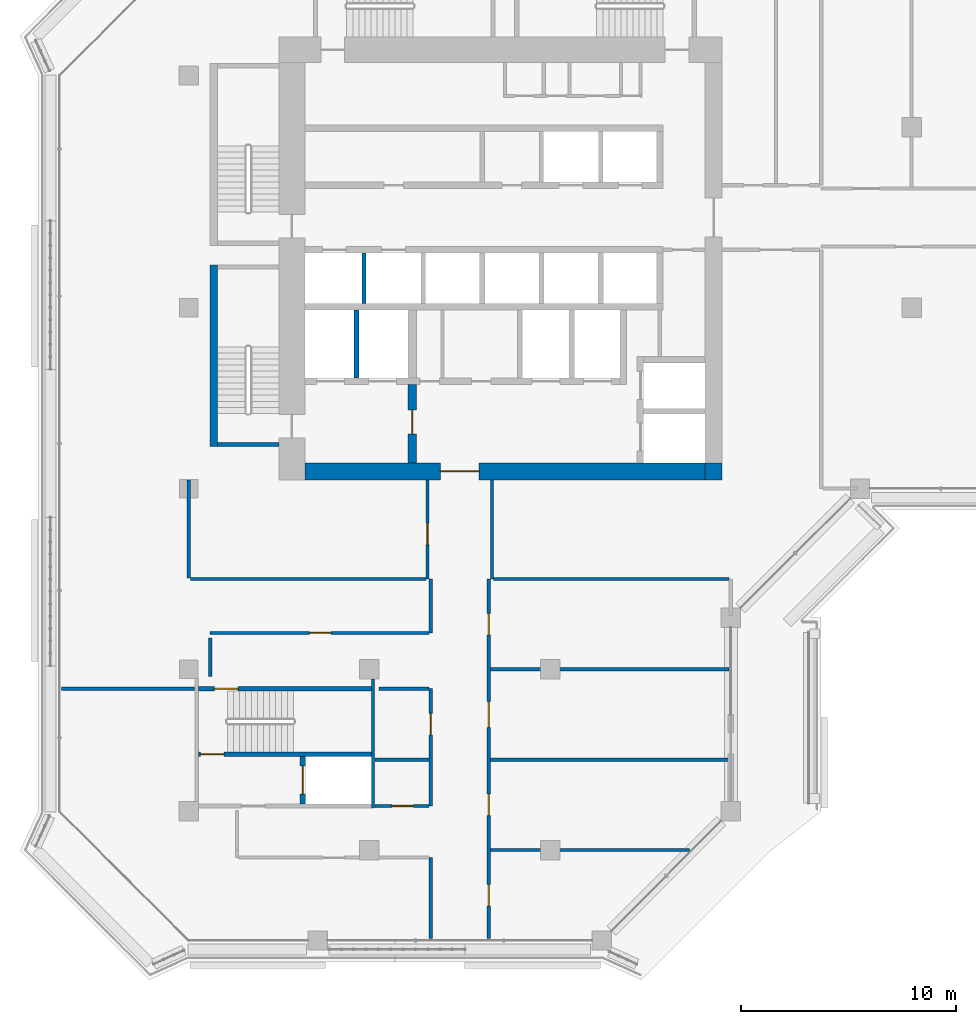
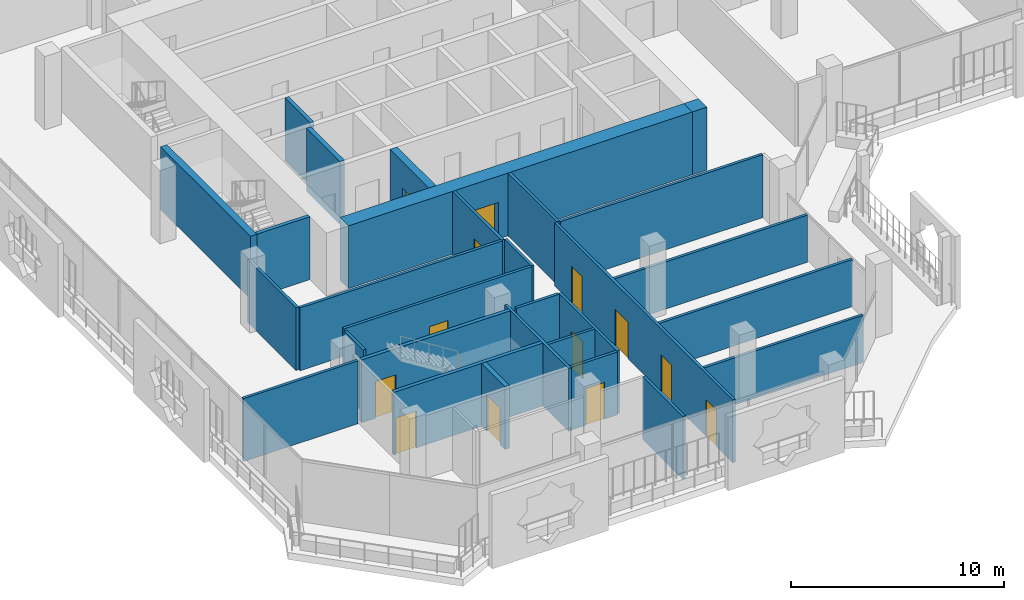
# One storey, part 10 of 22: 29 walls, 13 doors, 13 openings.
"""IFC4 building model written with IfcOpenShell, lengths in metres."""

from ifc_helpers import new_model, si_unit, direction, frame, frame_2d, origin, place, context, subcontext, project, spatial, rectangle, extrude, material, layer, layer_set, type_object, element, fill, save


model = new_model("IFC4")

# Units and contexts
model_context = context("Model", 3, precision=1e-05, world=origin(), true_north=direction((0.0, 1.0)))
body_context = subcontext(model_context, "Body", "Model", "MODEL_VIEW")
ifc_project = project(units=[si_unit("LENGTHUNIT", "METRE"), si_unit("AREAUNIT", "SQUARE_METRE"), si_unit("VOLUMEUNIT", "CUBIC_METRE"), si_unit("PLANEANGLEUNIT", "RADIAN"), si_unit("MASSUNIT", "GRAM", prefix="KILO")], contexts=[model_context])

# Site, building, storey
site_placement = place(None, origin())
site = spatial("IfcSite", under=ifc_project, at=site_placement, CompositionType="ELEMENT")
building_placement = place(site_placement, origin())
building = spatial("IfcBuilding", under=site, at=building_placement, Name="Kawkab Arch Medical Tower", CompositionType="ELEMENT")
storey_placement = place(building_placement, frame((0.0, 0.0, 255.800048828125)))
storey = spatial("IfcBuildingStorey", under=building, at=storey_placement, Name="L59", CompositionType="ELEMENT", Elevation=255.800048828125)

# Wall, opening, door
ifc_material_1 = material(Name="Concrete C50/60", Category="concrete")
ifc_layer_1 = layer(ifc_material_1, 0.800048828125)
ifc_layer_set_1 = layer_set([ifc_layer_1], Name="Concrete C50/60")
wall_type_1 = type_object("IfcWallType", Name="Core ring wall 800 C50/60", PredefinedType="SHEAR", material=ifc_layer_set_1)
wall_1_placement = place(storey_placement, frame((5.39990234375, -24.39990234375, 0.0), z_axis=(0.0, 0.0, 1.0), x_axis=(1.0, 0.0, 0.0)))
wall_1 = element("IfcWall", 1, at=wall_1_placement, inside=storey, type_object=wall_type_1, Name="L59 core wall", PredefinedType="SHEAR", context=body_context, shape_type="SweptSolid", body=[
    extrude(rectangle(XDim=18.60009765625, YDim=0.800048828125, at=frame_2d((9.300048828125, 0.0))), origin(), (0.0, 0.0, 1.0), 3.599853515625),
])
opening_1_placement = place(wall_1_placement, frame((6.300048828125, 0.0, 0.0)))
opening_1 = element("IfcOpeningElement", 2, at=opening_1_placement, cuts=wall_1, Name="Opening PD", PredefinedType="OPENING", context=body_context, shape_type="SweptSolid", body=[
    extrude(rectangle(XDim=1.800048828125, YDim=2.10009765625, at=frame_2d((0.89990234375, 1.050048828125))), frame((0.0, 0.409912109375, 0.0), z_axis=(0.0, -1.0, 0.0), x_axis=(1.0, 0.0, 0.0)), (0.0, 0.0, 1.0), 0.820068359375),
])
ifc_material_2 = material(Name="Hollow metal fire door leaf")
door_type_1 = type_object("IfcDoorType", Name="Core entrance doors 1800", OperationType="DOUBLE_DOOR_SINGLE_SWING", PredefinedType="DOOR", material=ifc_material_2)
door_1_placement = place(opening_1_placement, origin())
door_1 = element("IfcDoor", 3, at=door_1_placement, inside=storey, type_object=door_type_1, Name="L59 South entrance doors", OperationType="DOUBLE_DOOR_SINGLE_SWING", OverallHeight=2.10009765625, OverallWidth=1.800048828125, PredefinedType="DOOR", context=body_context, shape_type="SweptSolid", body=[
    extrude(rectangle(XDim=1.800048828125, YDim=2.10009765625, at=frame_2d((0.89990234375, 1.050048828125))), frame((0.0, 0.02490234375, 0.0), z_axis=(0.0, -1.0, 0.0), x_axis=(1.0, 0.0, 0.0)), (0.0, 0.0, 1.0), 0.050048828125),
])
fill(opening_1, door_1)

# Walls
wall_2_placement = place(storey_placement, frame((24.39990234375, -24.800048828125, 0.0), z_axis=(0.0, 0.0, 1.0), x_axis=(0.0, 1.0, 0.0)))
element("IfcWall", 4, at=wall_2_placement, inside=storey, type_object=wall_type_1, Name="L59 core wall", PredefinedType="SHEAR", context=body_context, shape_type="SweptSolid", body=[
    extrude(rectangle(XDim=0.800048828125, YDim=0.800048828125, at=frame_2d((0.39990234375, 0.0))), origin(), (0.0, 0.0, 1.0), 3.599853515625),
])
ifc_material_3 = material(Name="Concrete C60/75", Category="concrete")
ifc_layer_2 = layer(ifc_material_3, 0.25)
ifc_layer_set_2 = layer_set([ifc_layer_2], Name="Concrete C60/75")
wall_type_2 = type_object("IfcWallType", Name="Core shear wall 250 C60/75", PredefinedType="SHEAR", material=ifc_layer_set_2)
wall_3_placement = place(storey_placement, frame((7.800048828125, -20.050048828125, 0.0), z_axis=(0.0, 0.0, 1.0), x_axis=(0.0, 1.0, 0.0)))
element("IfcWall", 5, at=wall_3_placement, inside=storey, type_object=wall_type_2, Name="L59 core shear wall", PredefinedType="SHEAR", context=body_context, shape_type="SweptSolid", body=[
    extrude(rectangle(XDim=3.150146484375, YDim=0.25, at=frame_2d((1.5751953125, 0.0))), origin(), (0.0, 0.0, 1.0), 3.599853515625),
])

# Wall, opening, door
wall_4_placement = place(storey_placement, frame((5.300048828125, -39.85009765625, 0.0), z_axis=(0.0, 0.0, 1.0), x_axis=(0.0, 1.0, 0.0)))
wall_4 = element("IfcWall", 6, at=wall_4_placement, inside=storey, type_object=wall_type_2, Name="L59 core shear wall", PredefinedType="SHEAR", context=body_context, shape_type="SweptSolid", body=[
    extrude(rectangle(XDim=2.2001953125, YDim=0.25, at=frame_2d((1.10009765625, 0.0))), origin(), (0.0, 0.0, 1.0), 3.599853515625),
])
opening_2_placement = place(wall_4_placement, frame((0.449951171875, 0.0, 0.0)))
opening_2 = element("IfcOpeningElement", 7, at=opening_2_placement, cuts=wall_4, Name="Opening LD2", PredefinedType="OPENING", context=body_context, shape_type="SweptSolid", body=[
    extrude(rectangle(XDim=1.300048828125, YDim=2.10009765625, at=frame_2d((0.64990234375, 1.050048828125))), frame((0.0, 0.135009765625, 0.0), z_axis=(0.0, -1.0, 0.0), x_axis=(1.0, 0.0, 0.0)), (0.0, 0.0, 1.0), 0.27001953125),
])
ifc_material_4 = material(Name="Stainless steel lift door leaf", Category="steel")
door_type_2 = type_object("IfcDoorType", Name="Lift landing door 1300", OperationType="DOUBLE_DOOR_SLIDING", PredefinedType="DOOR", material=ifc_material_4)
door_2_placement = place(opening_2_placement, origin())
door_2 = element("IfcDoor", 8, at=door_2_placement, inside=storey, type_object=door_type_2, Name="L59 Lift landing door SV2", OperationType="DOUBLE_DOOR_SLIDING", OverallHeight=2.10009765625, OverallWidth=1.300048828125, PredefinedType="DOOR", context=body_context, shape_type="SweptSolid", body=[
    extrude(rectangle(XDim=1.300048828125, YDim=2.10009765625, at=frame_2d((0.64990234375, 1.050048828125))), frame((0.0, 0.02490234375, 0.0), z_axis=(0.0, -1.0, 0.0), x_axis=(1.0, 0.0, 0.0)), (0.0, 0.0, 1.0), 0.050048828125),
])
fill(opening_2, door_2)

ifc_material_5 = material(Name="Concrete C60/75", Category="concrete")
ifc_layer_3 = layer(ifc_material_5, 0.39990234375)
ifc_layer_set_3 = layer_set([ifc_layer_3], Name="Concrete C60/75")
wall_type_3 = type_object("IfcWallType", Name="Core shear wall 400 C60/75", PredefinedType="SHEAR", material=ifc_layer_set_3)
wall_5_placement = place(storey_placement, frame((10.39990234375, -24.0, 0.0), z_axis=(0.0, 0.0, 1.0), x_axis=(0.0, 1.0, 0.0)))
wall_5 = element("IfcWall", 9, at=wall_5_placement, inside=storey, type_object=wall_type_3, Name="L59 core shear wall", PredefinedType="SHEAR", context=body_context, shape_type="SweptSolid", body=[
    extrude(rectangle(XDim=3.64990234375, YDim=0.39990234375, at=frame_2d((1.824951171875, 0.0))), origin(), (0.0, 0.0, 1.0), 3.599853515625),
])
opening_3_placement = place(wall_5_placement, frame((1.35009765625, 0.0, 0.0)))
opening_3 = element("IfcOpeningElement", 10, at=opening_3_placement, cuts=wall_5, Name="Opening FD", PredefinedType="OPENING", context=body_context, shape_type="SweptSolid", body=[
    extrude(rectangle(XDim=1.10009765625, YDim=2.10009765625, at=frame_2d((0.550048828125, 1.050048828125))), frame((0.0, 0.2099609375, 0.0), z_axis=(0.0, -1.0, 0.0), x_axis=(1.0, 0.0, 0.0)), (0.0, 0.0, 1.0), 0.419921875),
])
ifc_material_6 = material(Name="Hollow metal fire door leaf")
door_type_3 = type_object("IfcDoorType", Name="Firefighting lobby door 1100", OperationType="SINGLE_SWING_LEFT", PredefinedType="DOOR", material=ifc_material_6)
door_3_placement = place(opening_3_placement, origin())
door_3 = element("IfcDoor", 11, at=door_3_placement, inside=storey, type_object=door_type_3, Name="L59 Firefighting lobby door", OperationType="SINGLE_SWING_LEFT", OverallHeight=2.10009765625, OverallWidth=1.10009765625, PredefinedType="DOOR", context=body_context, shape_type="SweptSolid", body=[
    extrude(rectangle(XDim=1.10009765625, YDim=2.10009765625, at=frame_2d((0.550048828125, 1.050048828125))), frame((0.0, 0.02490234375, 0.0), z_axis=(0.0, -1.0, 0.0), x_axis=(1.0, 0.0, 0.0)), (0.0, 0.0, 1.0), 0.050048828125),
])
fill(opening_3, door_3)

# Walls
ifc_material_7 = material(Name="Dense concrete blockwork", Category="masonry")
ifc_layer_4 = layer(ifc_material_7, 0.199951171875)
ifc_layer_set_4 = layer_set([ifc_layer_4], Name="Dense concrete blockwork")
wall_type_4 = type_object("IfcWallType", Name="Lift shaft partition 200", PredefinedType="PARTITIONING", material=ifc_layer_set_4)
wall_6_placement = place(storey_placement, frame((8.14990234375, -16.60009765625, 0.0), z_axis=(0.0, 0.0, 1.0), x_axis=(0.0, 1.0, 0.0)))
element("IfcWall", 12, at=wall_6_placement, inside=storey, type_object=wall_type_4, Name="L59 lift shaft partition", PredefinedType="PARTITIONING", context=body_context, shape_type="SweptSolid", body=[
    extrude(rectangle(XDim=2.35009765625, YDim=0.199951171875, at=frame_2d((1.175048828125, 0.0))), origin(), (0.0, 0.0, 1.0), 3.599853515625),
])
ifc_material_8 = material(Name="Gypsum board partition on steel studs, mineral wool", Category="steel")
ifc_layer_5 = layer(ifc_material_8, 0.14990234375)
ifc_layer_set_5 = layer_set([ifc_layer_5], Name="Gypsum board partition on steel studs, mineral wool")
wall_type_5 = type_object("IfcWallType", Name="Partition 150", PredefinedType="PARTITIONING", material=ifc_layer_set_5)
wall_7_placement = place(storey_placement, frame((14.02490234375, -42.0, 0.0), z_axis=(0.0, 0.0, 1.0), x_axis=(1.0, 0.0, 0.0)))
element("IfcWall", 13, at=wall_7_placement, inside=storey, type_object=wall_type_5, Name="Partition 150 w009", PredefinedType="PARTITIONING", context=body_context, shape_type="SweptSolid", body=[
    extrude(rectangle(XDim=9.26220703125, YDim=0.14990234375, at=frame_2d((4.631103515625, 0.0))), origin(), (0.0, 0.0, 1.0), 2.699951171875),
])

# Wall, opening, door
wall_8_placement = place(storey_placement, frame((8.64990234375, -39.949951171875, 0.0), z_axis=(0.0, 0.0, 1.0), x_axis=(1.0, 0.0, 0.0)))
wall_8 = element("IfcWall", 14, at=wall_8_placement, inside=storey, type_object=wall_type_5, Name="Partition 150 w010", PredefinedType="PARTITIONING", context=body_context, shape_type="SweptSolid", body=[
    extrude(rectangle(XDim=2.525146484375, YDim=0.14990234375, at=frame_2d((1.2626953125, 0.0))), origin(), (0.0, 0.0, 1.0), 3.599853515625),
])
opening_4_placement = place(wall_8_placement, frame((0.800048828125, 0.0, 0.0)))
opening_4 = element("IfcOpeningElement", 15, at=opening_4_placement, cuts=wall_8, Name="Opening W54-015", PredefinedType="OPENING", context=body_context, shape_type="SweptSolid", body=[
    extrude(rectangle(XDim=1.0, YDim=2.10009765625, at=frame_2d((0.5, 1.050048828125))), frame((0.0, 0.0849609375, 0.0), z_axis=(0.0, -1.0, 0.0), x_axis=(1.0, 0.0, 0.0)), (0.0, 0.0, 1.0), 0.169921875),
])
ifc_material_9 = material(Name="Hollow metal door leaf")
door_type_4 = type_object("IfcDoorType", Name="Single door 1000x2100 FD30S", OperationType="NOTDEFINED", PredefinedType="DOOR", material=ifc_material_9)
door_4_placement = place(opening_4_placement, origin())
door_4 = element("IfcDoor", 16, at=door_4_placement, inside=storey, type_object=door_type_4, Name="Door W54-015", OperationType="SINGLE_SWING_RIGHT", OverallHeight=2.10009765625, OverallWidth=1.0, PredefinedType="DOOR", context=body_context, shape_type="SweptSolid", body=[
    extrude(rectangle(XDim=1.0, YDim=2.10009765625, at=frame_2d((0.5, 1.050048828125))), frame((0.0, 0.02490234375, 0.0), z_axis=(0.0, -1.0, 0.0), x_axis=(1.0, 0.0, 0.0)), (0.0, 0.0, 1.0), 0.050048828125),
])
fill(opening_4, door_4)

# Walls
wall_9_placement = place(storey_placement, frame((8.64990234375, -37.800048828125, 0.0), z_axis=(0.0, 0.0, 1.0), x_axis=(1.0, 0.0, 0.0)))
element("IfcWall", 17, at=wall_9_placement, inside=storey, type_object=wall_type_5, Name="Partition 150 w011", PredefinedType="PARTITIONING", context=body_context, shape_type="SweptSolid", body=[
    extrude(rectangle(XDim=2.525146484375, YDim=0.14990234375, at=frame_2d((1.2626953125, 0.0))), origin(), (0.0, 0.0, 1.0), 3.599853515625),
])
wall_10_placement = place(storey_placement, frame((14.02490234375, -37.800048828125, 0.0), z_axis=(0.0, 0.0, 1.0), x_axis=(1.0, 0.0, 0.0)))
element("IfcWall", 18, at=wall_10_placement, inside=storey, type_object=wall_type_5, Name="Partition 150 w012", PredefinedType="PARTITIONING", context=body_context, shape_type="SweptSolid", body=[
    extrude(rectangle(XDim=11.09521484375, YDim=0.14990234375, at=frame_2d((5.547607421875, 0.0))), origin(), (0.0, 0.0, 1.0), 2.699951171875),
])
wall_11_placement = place(storey_placement, frame((-5.919921875, -34.5, 0.0), z_axis=(0.0, 0.0, 1.0), x_axis=(1.0, 0.0, 0.0)))
element("IfcWall", 19, at=wall_11_placement, inside=storey, type_object=wall_type_5, Name="Partition 150 w013", PredefinedType="PARTITIONING", context=body_context, shape_type="SweptSolid", body=[
    extrude(rectangle(XDim=6.18994140625, YDim=0.14990234375, at=frame_2d((3.094970703125, 0.0))), origin(), (0.0, 0.0, 1.0), 3.599853515625),
])
wall_12_placement = place(storey_placement, frame((8.85009765625, -34.5, 0.0), z_axis=(0.0, 0.0, 1.0), x_axis=(1.0, 0.0, 0.0)))
element("IfcWall", 20, at=wall_12_placement, inside=storey, type_object=wall_type_5, Name="Partition 150 w014", PredefinedType="PARTITIONING", context=body_context, shape_type="SweptSolid", body=[
    extrude(rectangle(XDim=2.324951171875, YDim=0.14990234375, at=frame_2d((1.16259765625, 0.0))), origin(), (0.0, 0.0, 1.0), 3.599853515625),
])
wall_13_placement = place(storey_placement, frame((14.02490234375, -33.60009765625, 0.0), z_axis=(0.0, 0.0, 1.0), x_axis=(1.0, 0.0, 0.0)))
element("IfcWall", 21, at=wall_13_placement, inside=storey, type_object=wall_type_5, Name="Partition 150 w015", PredefinedType="PARTITIONING", context=body_context, shape_type="SweptSolid", body=[
    extrude(rectangle(XDim=11.09521484375, YDim=0.14990234375, at=frame_2d((5.547607421875, 0.0))), origin(), (0.0, 0.0, 1.0), 2.699951171875),
])

# Wall, opening, door
wall_14_placement = place(storey_placement, frame((1.001953125, -31.906982421875, 0.0), z_axis=(0.0, 0.0, 1.0), x_axis=(1.0, 0.0, 0.0)))
wall_14 = element("IfcWall", 22, at=wall_14_placement, inside=storey, type_object=wall_type_5, Name="Partition 150 w016", PredefinedType="PARTITIONING", context=body_context, shape_type="SweptSolid", body=[
    extrude(rectangle(XDim=10.173095703125, YDim=0.14990234375, at=frame_2d((5.08642578125, 0.0))), origin(), (0.0, 0.0, 1.0), 3.599853515625),
])
opening_5_placement = place(wall_14_placement, frame((4.6240234375, 0.0, 0.0)))
opening_5 = element("IfcOpeningElement", 23, at=opening_5_placement, cuts=wall_14, Name="Opening W54-013", PredefinedType="OPENING", context=body_context, shape_type="SweptSolid", body=[
    extrude(rectangle(XDim=1.0, YDim=2.10009765625, at=frame_2d((0.5, 1.050048828125))), frame((0.0, 0.0849609375, 0.0), z_axis=(0.0, -1.0, 0.0), x_axis=(1.0, 0.0, 0.0)), (0.0, 0.0, 1.0), 0.169921875),
])
door_5_placement = place(opening_5_placement, origin())
door_5 = element("IfcDoor", 24, at=door_5_placement, inside=storey, type_object=door_type_4, Name="Door W54-013", OperationType="SINGLE_SWING_RIGHT", OverallHeight=2.10009765625, OverallWidth=1.0, PredefinedType="DOOR", context=body_context, shape_type="SweptSolid", body=[
    extrude(rectangle(XDim=1.0, YDim=2.10009765625, at=frame_2d((0.5, 1.050048828125))), frame((0.0, 0.02490234375, 0.0), z_axis=(0.0, -1.0, 0.0), x_axis=(1.0, 0.0, 0.0)), (0.0, 0.0, 1.0), 0.050048828125),
])
fill(opening_5, door_5)

# Walls
for number, where, z_axis, x_axis, name in (
    (25, (0.074951171875, -29.39990234375, 0.0), (0.0, 0.0, 1.0), (1.0, 0.0, 0.0), "Partition 150 w017"),
    (26, (14.175048828125, -29.39990234375, 0.0), (0.0, 0.0, 1.0), (1.0, 0.0, 0.0), "Partition 150 w018"),
):
    element("IfcWall", number, at=place(storey_placement, frame(where, z_axis=z_axis, x_axis=x_axis)), inside=storey, type_object=wall_type_5, Name=name, PredefinedType="PARTITIONING", context=body_context, shape_type="SweptSolid", body=[
        extrude(rectangle(XDim=10.949951171875, YDim=0.14990234375, at=frame_2d((5.47509765625, 0.0))), origin(), (0.0, 0.0, 1.0), 3.599853515625),
    ])
wall_15_placement = place(storey_placement, frame((0.0, -29.360107421875, 0.0), z_axis=(0.0, 0.0, 1.0), x_axis=(0.0, 1.0, 0.0)))
element("IfcWall", 27, at=wall_15_placement, inside=storey, type_object=wall_type_5, Name="Partition 150 w032", PredefinedType="PARTITIONING", context=body_context, shape_type="SweptSolid", body=[
    extrude(rectangle(XDim=4.56005859375, YDim=0.14990234375, at=frame_2d((2.280029296875, 0.0))), origin(), (0.0, 0.0, 1.0), 3.599853515625),
])
wall_16_placement = place(storey_placement, frame((1.0, -33.927001953125, 0.0), z_axis=(0.0, 0.0, 1.0), x_axis=(0.0, 1.0, 0.0)))
element("IfcWall", 28, at=wall_16_placement, inside=storey, type_object=wall_type_5, Name="Partition 150 w033", PredefinedType="PARTITIONING", context=body_context, shape_type="SweptSolid", body=[
    extrude(rectangle(XDim=1.787109375, YDim=0.14990234375, at=frame_2d((0.8935546875, 0.0))), origin(), (0.0, 0.0, 1.0), 3.599853515625),
])

# Wall, opening, door
wall_17_placement = place(storey_placement, frame((11.10009765625, -29.39990234375, 0.0), z_axis=(0.0, 0.0, 1.0), x_axis=(0.0, 1.0, 0.0)))
wall_17 = element("IfcWall", 29, at=wall_17_placement, inside=storey, type_object=wall_type_5, Name="Partition 150 w036", PredefinedType="PARTITIONING", context=body_context, shape_type="SweptSolid", body=[
    extrude(rectangle(XDim=4.599853515625, YDim=0.14990234375, at=frame_2d((2.2998046875, 0.0))), origin(), (0.0, 0.0, 1.0), 3.599853515625),
])
opening_6_placement = place(wall_17_placement, frame((1.60009765625, 0.0, 0.0)))
opening_6 = element("IfcOpeningElement", 30, at=opening_6_placement, cuts=wall_17, Name="Opening W54-012", PredefinedType="OPENING", context=body_context, shape_type="SweptSolid", body=[
    extrude(rectangle(XDim=1.0, YDim=2.10009765625, at=frame_2d((0.5, 1.050048828125))), frame((0.0, 0.0849609375, 0.0), z_axis=(0.0, -1.0, 0.0), x_axis=(1.0, 0.0, 0.0)), (0.0, 0.0, 1.0), 0.169921875),
])
door_6_placement = place(opening_6_placement, origin())
door_6 = element("IfcDoor", 31, at=door_6_placement, inside=storey, type_object=door_type_4, Name="Door W54-012", OperationType="SINGLE_SWING_LEFT", OverallHeight=2.10009765625, OverallWidth=1.0, PredefinedType="DOOR", context=body_context, shape_type="SweptSolid", body=[
    extrude(rectangle(XDim=1.0, YDim=2.10009765625, at=frame_2d((0.5, 1.050048828125))), frame((0.0, 0.02490234375, 0.0), z_axis=(0.0, -1.0, 0.0), x_axis=(1.0, 0.0, 0.0)), (0.0, 0.0, 1.0), 0.050048828125),
])
fill(opening_6, door_6)

# Wall
wall_18_placement = place(storey_placement, frame((11.25, -46.1201171875, 0.0), z_axis=(0.0, 0.0, 1.0), x_axis=(0.0, 1.0, 0.0)))
element("IfcWall", 32, at=wall_18_placement, inside=storey, type_object=wall_type_5, Name="Partition 150 w037", PredefinedType="PARTITIONING", context=body_context, shape_type="SweptSolid", body=[
    extrude(rectangle(XDim=3.77001953125, YDim=0.14990234375, at=frame_2d((1.885009765625, 0.0))), origin(), (0.0, 0.0, 1.0), 3.599853515625),
])

# Wall, opening, door
wall_19_placement = place(storey_placement, frame((11.25, -39.949951171875, 0.0), z_axis=(0.0, 0.0, 1.0), x_axis=(0.0, 1.0, 0.0)))
wall_19 = element("IfcWall", 33, at=wall_19_placement, inside=storey, type_object=wall_type_5, Name="Partition 150 w038", PredefinedType="PARTITIONING", context=body_context, shape_type="SweptSolid", body=[
    extrude(rectangle(XDim=5.449951171875, YDim=0.14990234375, at=frame_2d((2.72509765625, 0.0))), origin(), (0.0, 0.0, 1.0), 3.599853515625),
])
opening_7_placement = place(wall_19_placement, frame((3.300048828125, 0.0, 0.0)))
opening_7 = element("IfcOpeningElement", 34, at=opening_7_placement, cuts=wall_19, Name="Opening W54-014", PredefinedType="OPENING", context=body_context, shape_type="SweptSolid", body=[
    extrude(rectangle(XDim=1.0, YDim=2.10009765625, at=frame_2d((0.5, 1.050048828125))), frame((0.0, 0.0849609375, 0.0), z_axis=(0.0, -1.0, 0.0), x_axis=(1.0, 0.0, 0.0)), (0.0, 0.0, 1.0), 0.169921875),
])
door_7_placement = place(opening_7_placement, origin())
door_7 = element("IfcDoor", 35, at=door_7_placement, inside=storey, type_object=door_type_4, Name="Door W54-014", OperationType="SINGLE_SWING_RIGHT", OverallHeight=2.10009765625, OverallWidth=1.0, PredefinedType="DOOR", context=body_context, shape_type="SweptSolid", body=[
    extrude(rectangle(XDim=1.0, YDim=2.10009765625, at=frame_2d((0.5, 1.050048828125))), frame((0.0, 0.02490234375, 0.0), z_axis=(0.0, -1.0, 0.0), x_axis=(1.0, 0.0, 0.0)), (0.0, 0.0, 1.0), 0.050048828125),
])
fill(opening_7, door_7)

# Wall
wall_20_placement = place(storey_placement, frame((11.25, -31.906982421875, 0.0), z_axis=(0.0, 0.0, 1.0), x_axis=(0.0, 1.0, 0.0)))
element("IfcWall", 36, at=wall_20_placement, inside=storey, type_object=wall_type_5, Name="Partition 150 w039", PredefinedType="PARTITIONING", context=body_context, shape_type="SweptSolid", body=[
    extrude(rectangle(XDim=2.507080078125, YDim=0.14990234375, at=frame_2d((1.25341796875, 0.0))), origin(), (0.0, 0.0, 1.0), 3.599853515625),
])

# Wall, openings, doors
wall_21_placement = place(storey_placement, frame((13.949951171875, -46.1201171875, 0.0), z_axis=(0.0, 0.0, 1.0), x_axis=(0.0, 1.0, 0.0)))
wall_21 = element("IfcWall", 37, at=wall_21_placement, inside=storey, type_object=wall_type_5, Name="Partition 150 w040", PredefinedType="PARTITIONING", context=body_context, shape_type="SweptSolid", body=[
    extrude(rectangle(XDim=16.72021484375, YDim=0.14990234375, at=frame_2d((8.360107421875, 0.0))), origin(), (0.0, 0.0, 1.0), 3.599853515625),
])
opening_8_placement = place(wall_21_placement, frame((14.1201171875, 0.0, 0.0)))
opening_8 = element("IfcOpeningElement", 38, at=opening_8_placement, cuts=wall_21, Name="Opening W54-017", PredefinedType="OPENING", context=body_context, shape_type="SweptSolid", body=[
    extrude(rectangle(XDim=1.0, YDim=2.10009765625, at=frame_2d((0.5, 1.050048828125))), frame((0.0, 0.0849609375, 0.0), z_axis=(0.0, -1.0, 0.0), x_axis=(1.0, 0.0, 0.0)), (0.0, 0.0, 1.0), 0.169921875),
])
opening_9_placement = place(wall_21_placement, frame((9.820068359375, 0.0, 0.0)))
opening_9 = element("IfcOpeningElement", 39, at=opening_9_placement, cuts=wall_21, Name="Opening W54-027", PredefinedType="OPENING", context=body_context, shape_type="SweptSolid", body=[
    extrude(rectangle(XDim=1.199951171875, YDim=2.10009765625, at=frame_2d((0.60009765625, 1.050048828125))), frame((0.0, 0.0849609375, 0.0), z_axis=(0.0, -1.0, 0.0), x_axis=(1.0, 0.0, 0.0)), (0.0, 0.0, 1.0), 0.169921875),
])
opening_10_placement = place(wall_21_placement, frame((5.719970703125, 0.0, 0.0)))
opening_10 = element("IfcOpeningElement", 40, at=opening_10_placement, cuts=wall_21, Name="Opening W54-018", PredefinedType="OPENING", context=body_context, shape_type="SweptSolid", body=[
    extrude(rectangle(XDim=1.0, YDim=2.10009765625, at=frame_2d((0.5, 1.050048828125))), frame((0.0, 0.0849609375, 0.0), z_axis=(0.0, -1.0, 0.0), x_axis=(1.0, 0.0, 0.0)), (0.0, 0.0, 1.0), 0.169921875),
])
opening_11_placement = place(wall_21_placement, frame((1.52001953125, 0.0, 0.0)))
opening_11 = element("IfcOpeningElement", 41, at=opening_11_placement, cuts=wall_21, Name="Opening W54-019", PredefinedType="OPENING", context=body_context, shape_type="SweptSolid", body=[
    extrude(rectangle(XDim=1.0, YDim=2.10009765625, at=frame_2d((0.5, 1.050048828125))), frame((0.0, 0.0849609375, 0.0), z_axis=(0.0, -1.0, 0.0), x_axis=(1.0, 0.0, 0.0)), (0.0, 0.0, 1.0), 0.169921875),
])
door_8_placement = place(opening_8_placement, origin())
door_8 = element("IfcDoor", 42, at=door_8_placement, inside=storey, type_object=door_type_4, Name="Door W54-017", OperationType="SINGLE_SWING_LEFT", OverallHeight=2.10009765625, OverallWidth=1.0, PredefinedType="DOOR", context=body_context, shape_type="SweptSolid", body=[
    extrude(rectangle(XDim=1.0, YDim=2.10009765625, at=frame_2d((0.5, 1.050048828125))), frame((0.0, 0.02490234375, 0.0), z_axis=(0.0, -1.0, 0.0), x_axis=(1.0, 0.0, 0.0)), (0.0, 0.0, 1.0), 0.050048828125),
])
fill(opening_8, door_8)
door_9_placement = place(opening_10_placement, origin())
door_9 = element("IfcDoor", 43, at=door_9_placement, inside=storey, type_object=door_type_4, Name="Door W54-018", OperationType="SINGLE_SWING_RIGHT", OverallHeight=2.10009765625, OverallWidth=1.0, PredefinedType="DOOR", context=body_context, shape_type="SweptSolid", body=[
    extrude(rectangle(XDim=1.0, YDim=2.10009765625, at=frame_2d((0.5, 1.050048828125))), frame((0.0, 0.02490234375, 0.0), z_axis=(0.0, -1.0, 0.0), x_axis=(1.0, 0.0, 0.0)), (0.0, 0.0, 1.0), 0.050048828125),
])
fill(opening_10, door_9)
door_10_placement = place(opening_11_placement, origin())
door_10 = element("IfcDoor", 44, at=door_10_placement, inside=storey, type_object=door_type_4, Name="Door W54-019", OperationType="SINGLE_SWING_RIGHT", OverallHeight=2.10009765625, OverallWidth=1.0, PredefinedType="DOOR", context=body_context, shape_type="SweptSolid", body=[
    extrude(rectangle(XDim=1.0, YDim=2.10009765625, at=frame_2d((0.5, 1.050048828125))), frame((0.0, 0.02490234375, 0.0), z_axis=(0.0, -1.0, 0.0), x_axis=(1.0, 0.0, 0.0)), (0.0, 0.0, 1.0), 0.050048828125),
])
fill(opening_11, door_10)
ifc_material_10 = material(Name="Hollow metal door leaf")
door_type_5 = type_object("IfcDoorType", Name="Single door 1200x2100 FD30S", OperationType="NOTDEFINED", PredefinedType="DOOR", material=ifc_material_10)
door_11_placement = place(opening_9_placement, origin())
door_11 = element("IfcDoor", 45, at=door_11_placement, inside=storey, type_object=door_type_5, Name="Door W54-027", OperationType="SINGLE_SWING_LEFT", OverallHeight=2.10009765625, OverallWidth=1.199951171875, PredefinedType="DOOR", context=body_context, shape_type="SweptSolid", body=[
    extrude(rectangle(XDim=1.199951171875, YDim=2.10009765625, at=frame_2d((0.60009765625, 1.050048828125))), frame((0.0, 0.02490234375, 0.0), z_axis=(0.0, -1.0, 0.0), x_axis=(1.0, 0.0, 0.0)), (0.0, 0.0, 1.0), 0.050048828125),
])
fill(opening_9, door_11)

# Walls
wall_22_placement = place(storey_placement, frame((14.10009765625, -29.39990234375, 0.0), z_axis=(0.0, 0.0, 1.0), x_axis=(0.0, 1.0, 0.0)))
element("IfcWall", 46, at=wall_22_placement, inside=storey, type_object=wall_type_5, Name="Partition 150 w041", PredefinedType="PARTITIONING", context=body_context, shape_type="SweptSolid", body=[
    extrude(rectangle(XDim=4.599853515625, YDim=0.14990234375, at=frame_2d((2.2998046875, 0.0))), origin(), (0.0, 0.0, 1.0), 3.599853515625),
])
ifc_material_11 = material(Name="Concrete C50/60", Category="concrete")
ifc_layer_6 = layer(ifc_material_11, 0.14990234375)
ifc_layer_set_6 = layer_set([ifc_layer_6], Name="Concrete C50/60")
wall_type_6 = type_object("IfcWallType", Name="Stair enclosure wall 150 C50/60", PredefinedType="SHEAR", material=ifc_layer_set_6)
wall_23_placement = place(storey_placement, frame((8.574951171875, -40.050048828125, 0.0), z_axis=(0.0, 0.0, 1.0), x_axis=(0.0, 1.0, 0.0)))
element("IfcWall", 47, at=wall_23_placement, inside=storey, type_object=wall_type_6, Name="L59 stair enclosure wall", PredefinedType="SHEAR", context=body_context, shape_type="SweptSolid", body=[
    extrude(rectangle(XDim=6.0, YDim=0.14990234375, at=frame_2d((3.0, 0.0))), origin(), (0.0, 0.0, 1.0), 3.599853515625),
])
ifc_material_12 = material(Name="Concrete C50/60", Category="concrete")
ifc_layer_7 = layer(ifc_material_12, 0.199951171875)
ifc_layer_set_7 = layer_set([ifc_layer_7], Name="Concrete C50/60")
wall_type_7 = type_object("IfcWallType", Name="Stair enclosure wall 200 C50/60", PredefinedType="SHEAR", material=ifc_layer_set_7)
wall_24_placement = place(storey_placement, frame((1.35009765625, -23.14990234375, 0.0), z_axis=(0.0, 0.0, 1.0), x_axis=(1.0, 0.0, 0.0)))
element("IfcWall", 48, at=wall_24_placement, inside=storey, type_object=wall_type_7, Name="L59 stair enclosure wall", PredefinedType="SHEAR", context=body_context, shape_type="SweptSolid", body=[
    extrude(rectangle(XDim=2.849853515625, YDim=0.199951171875, at=frame_2d((1.4248046875, 0.0))), origin(), (0.0, 0.0, 1.0), 3.599853515625),
])

# Wall, opening, door
wall_25_placement = place(storey_placement, frame((0.449951171875, -34.5, 0.0), z_axis=(0.0, 0.0, 1.0), x_axis=(1.0, 0.0, 0.0)))
wall_25 = element("IfcWall", 49, at=wall_25_placement, inside=storey, type_object=wall_type_7, Name="L59 stair enclosure wall", PredefinedType="SHEAR", context=body_context, shape_type="SweptSolid", body=[
    extrude(rectangle(XDim=8.050048828125, YDim=0.199951171875, at=frame_2d((4.02490234375, 0.0))), origin(), (0.0, 0.0, 1.0), 3.599853515625),
])
opening_12_placement = place(wall_25_placement, frame((0.75, 0.0, 0.0)))
opening_12 = element("IfcOpeningElement", 50, at=opening_12_placement, cuts=wall_25, Name="Opening SD", PredefinedType="OPENING", context=body_context, shape_type="SweptSolid", body=[
    extrude(rectangle(XDim=1.10009765625, YDim=2.10009765625, at=frame_2d((0.550048828125, 1.050048828125))), frame((0.0, 0.10986328125, 0.0), z_axis=(0.0, -1.0, 0.0), x_axis=(1.0, 0.0, 0.0)), (0.0, 0.0, 1.0), 0.219970703125),
])
ifc_material_13 = material(Name="Hollow metal fire door leaf")
door_type_6 = type_object("IfcDoorType", Name="Exit stair door 1100", OperationType="SINGLE_SWING_LEFT", PredefinedType="DOOR", material=ifc_material_13)
door_12_placement = place(opening_12_placement, origin())
door_12 = element("IfcDoor", 51, at=door_12_placement, inside=storey, type_object=door_type_6, Name="L59 Exit stair ST6 door", OperationType="SINGLE_SWING_LEFT", OverallHeight=2.10009765625, OverallWidth=1.10009765625, PredefinedType="DOOR", context=body_context, shape_type="SweptSolid", body=[
    extrude(rectangle(XDim=1.10009765625, YDim=2.10009765625, at=frame_2d((0.550048828125, 1.050048828125))), frame((0.0, 0.02490234375, 0.0), z_axis=(0.0, -1.0, 0.0), x_axis=(1.0, 0.0, 0.0)), (0.0, 0.0, 1.0), 0.050048828125),
])
fill(opening_12, door_12)

wall_26_placement = place(storey_placement, frame((0.449951171875, -37.550048828125, 0.0), z_axis=(0.0, 0.0, 1.0), x_axis=(1.0, 0.0, 0.0)))
wall_26 = element("IfcWall", 52, at=wall_26_placement, inside=storey, type_object=wall_type_7, Name="L59 stair enclosure wall", PredefinedType="SHEAR", context=body_context, shape_type="SweptSolid", body=[
    extrude(rectangle(XDim=8.050048828125, YDim=0.199951171875, at=frame_2d((4.02490234375, 0.0))), origin(), (0.0, 0.0, 1.0), 3.599853515625),
])
opening_13_placement = place(wall_26_placement, frame((0.10009765625, 0.0, 0.0)))
opening_13 = element("IfcOpeningElement", 53, at=opening_13_placement, cuts=wall_26, Name="Opening SD", PredefinedType="OPENING", context=body_context, shape_type="SweptSolid", body=[
    extrude(rectangle(XDim=1.10009765625, YDim=2.10009765625, at=frame_2d((0.550048828125, 1.050048828125))), frame((0.0, 0.10986328125, 0.0), z_axis=(0.0, -1.0, 0.0), x_axis=(1.0, 0.0, 0.0)), (0.0, 0.0, 1.0), 0.219970703125),
])
door_13_placement = place(opening_13_placement, frame((1.10009765625, 0.0, 0.0), z_axis=(0.0, 0.0, 1.0), x_axis=(-1.0, 0.0, 0.0)))
door_13 = element("IfcDoor", 54, at=door_13_placement, inside=storey, type_object=door_type_6, Name="L59 Exit stair ST6 lobby door", OperationType="SINGLE_SWING_LEFT", OverallHeight=2.10009765625, OverallWidth=1.10009765625, PredefinedType="DOOR", context=body_context, shape_type="SweptSolid", body=[
    extrude(rectangle(XDim=1.10009765625, YDim=2.10009765625, at=frame_2d((0.550048828125, 1.050048828125))), frame((0.0, 0.02490234375, 0.0), z_axis=(0.0, -1.0, 0.0), x_axis=(1.0, 0.0, 0.0)), (0.0, 0.0, 1.0), 0.050048828125),
])
fill(opening_13, door_13)

# Wall
ifc_material_14 = material(Name="Concrete C50/60", Category="concrete")
ifc_layer_8 = layer(ifc_material_14, 0.35009765625)
ifc_layer_set_8 = layer_set([ifc_layer_8], Name="Concrete C50/60")
wall_type_8 = type_object("IfcWallType", Name="Stair enclosure wall 350 C50/60", PredefinedType="SHEAR", material=ifc_layer_set_8)
wall_27_placement = place(storey_placement, frame((1.175048828125, -23.25, 0.0), z_axis=(0.0, 0.0, 1.0), x_axis=(0.0, 1.0, 0.0)))
element("IfcWall", 55, at=wall_27_placement, inside=storey, type_object=wall_type_8, Name="L59 stair enclosure wall", PredefinedType="SHEAR", context=body_context, shape_type="SweptSolid", body=[
    extrude(rectangle(XDim=8.449951171875, YDim=0.35009765625, at=frame_2d((4.22509765625, 0.0))), origin(), (0.0, 0.0, 1.0), 3.599853515625),
])

save(model, "model.ifc")
